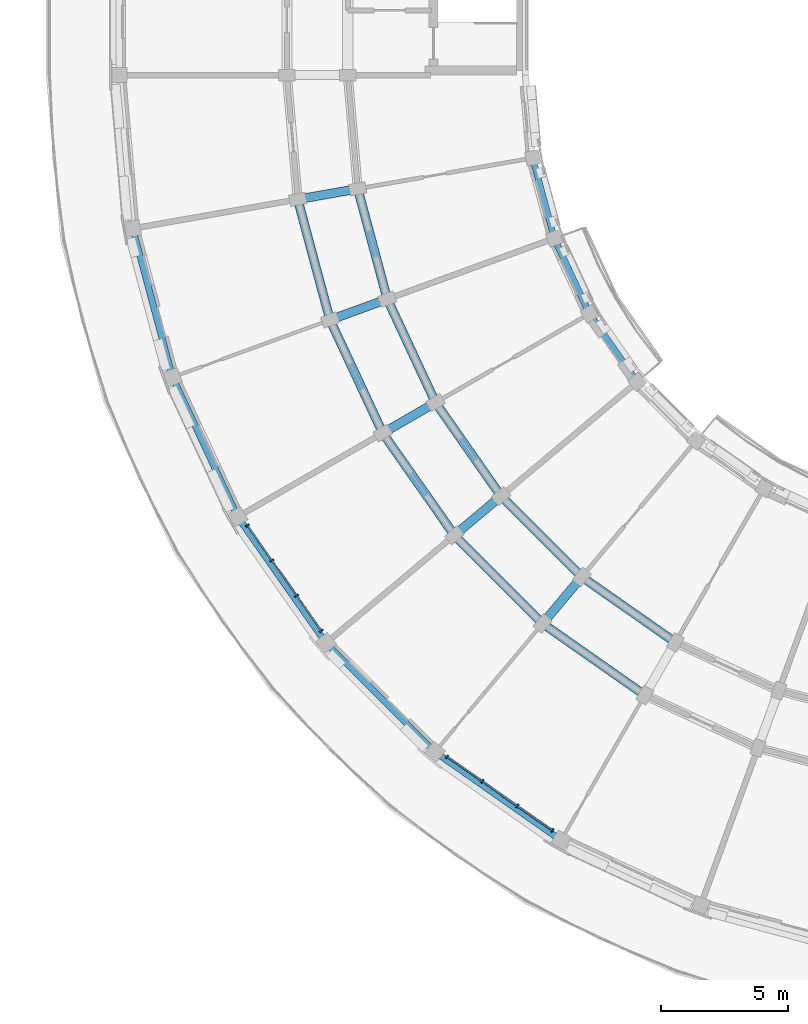
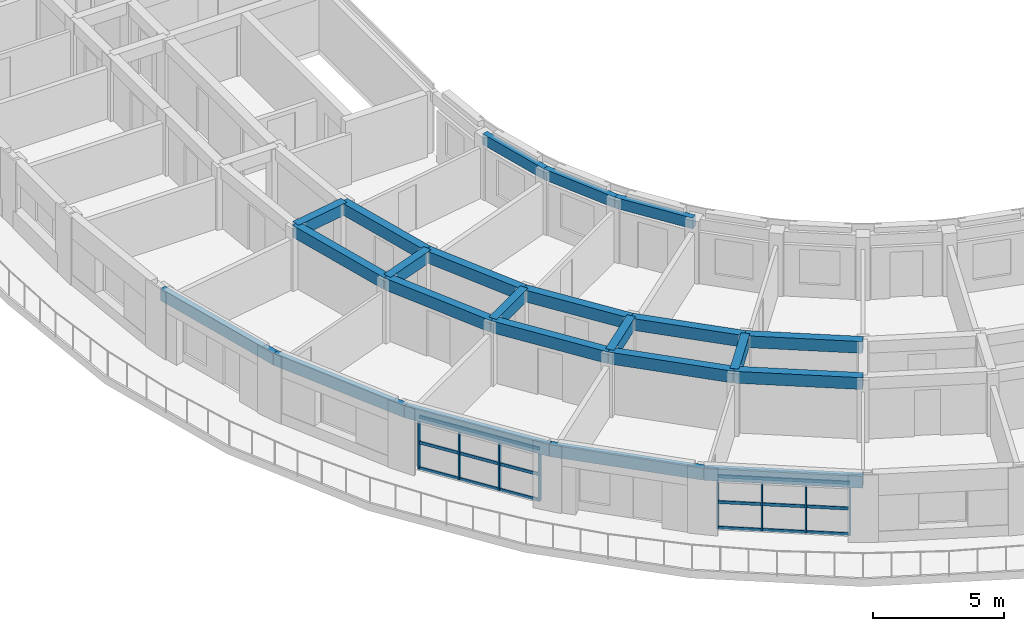
# One storey, part 3 of 53: 23 beams, 14 members, 2 elements without a shape of their own.
"""IFC4 building model written with IfcOpenShell, lengths in metres."""

from ifc_helpers import new_model, si_unit, direction, frame, origin, origin_2d, place, context, subcontext, project, spatial, rectangle, extrude, material, material_profile, profile_set, type_object, element, aggregate, save


model = new_model("IFC4")

# Units and contexts
model_context = context("Model", 3, precision=1e-05, world=origin(), true_north=direction((0.0, 1.0)))
body_context = subcontext(model_context, "Body", "Model", "MODEL_VIEW")
ifc_project = project(units=[si_unit("LENGTHUNIT", "METRE"), si_unit("AREAUNIT", "SQUARE_METRE"), si_unit("VOLUMEUNIT", "CUBIC_METRE"), si_unit("PLANEANGLEUNIT", "RADIAN"), si_unit("MASSUNIT", "GRAM", prefix="KILO")], contexts=[model_context])

# Site, building, storey
site_placement = place(None, origin())
site = spatial("IfcSite", under=ifc_project, at=site_placement, CompositionType="ELEMENT")
building_placement = place(site_placement, origin())
building = spatial("IfcBuilding", under=site, at=building_placement, Name="Kiranvali Square Residences", CompositionType="ELEMENT")
storey_placement = place(building_placement, frame((0.0, 0.0, 30.75)))
storey = spatial("IfcBuildingStorey", under=building, at=storey_placement, Name="L09", CompositionType="ELEMENT", Elevation=30.75)

# Beams
ifc_material_1 = material(Name="Concrete M40 (40 MPa)", Category="concrete")
ifc_material_profile_1 = material_profile(ifc_material_1, rectangle(XDim=0.35009765625, YDim=0.550048828125, at=origin_2d()), Name="RC 350x550")
ifc_profile_set_1 = profile_set([ifc_material_profile_1], Name="Concrete M40 (40 MPa)")
beam_type_1 = type_object("IfcBeamType", Name="BM-M40-350x550", PredefinedType="BEAM", material=ifc_profile_set_1)
beam_1_placement = place(storey_placement, frame((35.300048828125, 25.8564453125, 2.635009765625), z_axis=(-0.819155404658, 0.573571637217, 0.0), x_axis=(-0.573571637217, -0.819155404658, 0.0)))
element("IfcBeam", 1, at=beam_1_placement, inside=storey, type_object=beam_type_1, Name="L09 beam BM-C-L09-C03-R1", PredefinedType="BEAM", context=body_context, shape_type="SweptSolid", body=[
    extrude(rectangle(XDim=0.35009765625, YDim=0.550048828125, at=origin_2d()), origin(), (0.0, 0.0, 1.0), 4.497314453125),
])
beam_2_placement = place(storey_placement, frame((34.10009765625, 23.778076171875, 2.635009765625), z_axis=(-0.819140911474, 0.573592335331, 0.0), x_axis=(-0.573592335331, -0.819140911474, 0.0)))
element("IfcBeam", 2, at=beam_2_placement, inside=storey, type_object=beam_type_1, Name="L09 beam BM-C-L09-C03-R2", PredefinedType="BEAM", context=body_context, shape_type="SweptSolid", body=[
    extrude(rectangle(XDim=0.35009765625, YDim=0.550048828125, at=origin_2d()), origin(), (0.0, 0.0, 1.0), 4.915771484375),
])
beam_3_placement = place(storey_placement, frame((31.615966796875, 28.43603515625, 2.635009765625), z_axis=(-0.707106781187, 0.707106781187, 0.0), x_axis=(-0.707106781187, -0.707106781187, 0.0)))
element("IfcBeam", 3, at=beam_3_placement, inside=storey, type_object=beam_type_1, Name="L09 beam BM-C-L09-C04-R1", PredefinedType="BEAM", context=body_context, shape_type="SweptSolid", body=[
    extrude(rectangle(XDim=0.35009765625, YDim=0.550048828125, at=origin_2d()), origin(), (0.0, 0.0, 1.0), 4.4970703125),
])
beam_4_placement = place(storey_placement, frame((30.073486328125, 26.59765625, 2.635009765625), z_axis=(-0.707106781187, 0.707106781187, 0.0), x_axis=(-0.707106781187, -0.707106781187, 0.0)))
element("IfcBeam", 4, at=beam_4_placement, inside=storey, type_object=beam_type_1, Name="L09 beam BM-C-L09-C04-R2", PredefinedType="BEAM", context=body_context, shape_type="SweptSolid", body=[
    extrude(rectangle(XDim=0.35009765625, YDim=0.550048828125, at=origin_2d()), origin(), (0.0, 0.0, 1.0), 4.91552734375),
])
beam_5_placement = place(storey_placement, frame((28.43603515625, 31.615966796875, 2.635009765625), z_axis=(-0.573571637217, 0.819155404658, 0.0), x_axis=(-0.819155404658, -0.573571637217, 0.0)))
element("IfcBeam", 5, at=beam_5_placement, inside=storey, type_object=beam_type_1, Name="L09 beam BM-C-L09-C05-R1", PredefinedType="BEAM", context=body_context, shape_type="SweptSolid", body=[
    extrude(rectangle(XDim=0.35009765625, YDim=0.550048828125, at=origin_2d()), origin(), (0.0, 0.0, 1.0), 4.497314453125),
])
beam_6_placement = place(storey_placement, frame((26.59765625, 30.073486328125, 2.635009765625), z_axis=(-0.573592335331, 0.819140911474, 0.0), x_axis=(-0.819140911474, -0.573592335331, 0.0)))
element("IfcBeam", 6, at=beam_6_placement, inside=storey, type_object=beam_type_1, Name="L09 beam BM-C-L09-C05-R2", PredefinedType="BEAM", context=body_context, shape_type="SweptSolid", body=[
    extrude(rectangle(XDim=0.35009765625, YDim=0.550048828125, at=origin_2d()), origin(), (0.0, 0.0, 1.0), 4.915771484375),
])
beam_7_placement = place(storey_placement, frame((25.8564453125, 35.300048828125, 2.635009765625), z_axis=(-0.422617978463, 0.906307919131, 0.0), x_axis=(-0.906307919131, -0.422617978463, 0.0)))
element("IfcBeam", 7, at=beam_7_placement, inside=storey, type_object=beam_type_1, Name="L09 beam BM-C-L09-C06-R1", PredefinedType="BEAM", context=body_context, shape_type="SweptSolid", body=[
    extrude(rectangle(XDim=0.35009765625, YDim=0.550048828125, at=origin_2d()), origin(), (0.0, 0.0, 1.0), 4.497314453125),
])
beam_8_placement = place(storey_placement, frame((23.778076171875, 34.10009765625, 2.635009765625), z_axis=(-0.422629854778, 0.906302381024, 0.0), x_axis=(-0.906302381024, -0.422629854778, 0.0)))
element("IfcBeam", 8, at=beam_8_placement, inside=storey, type_object=beam_type_1, Name="L09 beam BM-C-L09-C06-R2", PredefinedType="BEAM", context=body_context, shape_type="SweptSolid", body=[
    extrude(rectangle(XDim=0.35009765625, YDim=0.550048828125, at=origin_2d()), origin(), (0.0, 0.0, 1.0), 4.915283203125),
])
beam_9_placement = place(storey_placement, frame((23.955810546875, 39.3759765625, 2.635009765625), z_axis=(-0.258787642463, 0.965934240054, 0.0), x_axis=(-0.965934240054, -0.258787642463, 0.0)))
element("IfcBeam", 9, at=beam_9_placement, inside=storey, type_object=beam_type_1, Name="L09 beam BM-C-L09-C07-R1", PredefinedType="BEAM", context=body_context, shape_type="SweptSolid", body=[
    extrude(rectangle(XDim=0.35009765625, YDim=0.550048828125, at=origin_2d()), origin(), (0.0, 0.0, 1.0), 4.497314453125),
])
beam_10_placement = place(storey_placement, frame((21.70068359375, 38.554931640625, 2.635009765625), z_axis=(-0.258803112091, 0.965930095386, 0.0), x_axis=(-0.965930095386, -0.258803112091, 0.0)))
element("IfcBeam", 10, at=beam_10_placement, inside=storey, type_object=beam_type_1, Name="L09 beam BM-C-L09-C07-R2", PredefinedType="BEAM", context=body_context, shape_type="SweptSolid", body=[
    extrude(rectangle(XDim=0.35009765625, YDim=0.550048828125, at=origin_2d()), origin(), (0.0, 0.0, 1.0), 4.915771484375),
])
for number, where, z_axis, x_axis, name in (
    (11, (31.615966796875, 28.43603515625, 2.635009765625), (-0.642762521781, -0.766065493671, 0.0), (0.766065493671, -0.642762521781, 0.0), "L09 beam BM-C-L09-RAD04-12"),
    (12, (28.43603515625, 31.615966796875, 2.635009765625), (-0.766065493671, -0.642762521781, 0.0), (0.642762521781, -0.766065493671, 0.0), "L09 beam BM-C-L09-RAD05-12"),
):
    element("IfcBeam", number, at=place(storey_placement, frame(where, z_axis=z_axis, x_axis=x_axis)), inside=storey, type_object=beam_type_1, Name=name, PredefinedType="BEAM", context=body_context, shape_type="SweptSolid", body=[
        extrude(rectangle(XDim=0.35009765625, YDim=0.550048828125, at=origin_2d()), origin(), (0.0, 0.0, 1.0), 2.399658203125),
    ])
for number, where, z_axis, x_axis, name in (
    (13, (25.8564453125, 35.300048828125, 2.635009765625), (-0.866024647952, -0.500001309137, 0.0), (0.500001309137, -0.866024647952, 0.0), "L09 beam BM-C-L09-RAD06-12"),
    (14, (23.955810546875, 39.3759765625, 2.635009765625), (-0.939659694648, -0.342110593602, 0.0), (0.342110593602, -0.939659694648, 0.0), "L09 beam BM-C-L09-RAD07-12"),
    (15, (22.7919921875, 43.719970703125, 2.635009765625), (-0.984808127031, -0.173646056486, 0.0), (0.173646056486, -0.984808127031, 0.0), "L09 beam BM-C-L09-RAD08-12"),
):
    element("IfcBeam", number, at=place(storey_placement, frame(where, z_axis=z_axis, x_axis=x_axis)), inside=storey, type_object=beam_type_1, Name=name, PredefinedType="BEAM", context=body_context, shape_type="SweptSolid", body=[
        extrude(rectangle(XDim=0.35009765625, YDim=0.550048828125, at=origin_2d()), origin(), (0.0, 0.0, 1.0), 2.39990234375),
    ])

# Curtain wall, members
ifc_material_2 = material(Name="Anodised bronze aluminium framing", Category="aluminium")
curtain_wall_type = type_object("IfcCurtainWallType", Name="CW-RES-LOG", PredefinedType="USERDEFINED", material=ifc_material_2)
curtain_wall_1_placement = place(storey_placement, origin())
curtain_wall_1 = element("IfcCurtainWall", 16, at=curtain_wall_1_placement, inside=storey, type_object=curtain_wall_type, Name="Block C L09 stepped curved terrace loggia 4", ObjectType="CURTAIN WALL", PredefinedType="USERDEFINED")
ifc_material_profile_2 = material_profile(ifc_material_2, rectangle(XDim=0.06494140625, YDim=0.159912109375, at=origin_2d()), Name="ALU 65x160")
ifc_profile_set_2 = profile_set([ifc_material_profile_2], Name="Anodised bronze aluminium framing")
member_type_1 = type_object("IfcMemberType", Name="CW-MUL-160", PredefinedType="MULLION", material=ifc_profile_set_2)
member_1_placement = place(storey_placement, frame((30.459228515625, 18.447509765625, 0.02001953125), z_axis=(0.0, 0.0, 1.0), x_axis=(-0.819152044289, 0.573576436351, 0.0)))
member_1 = element("IfcMember", 17, at=member_1_placement, type_object=member_type_1, Name="CW-C-L09-TER-03 vertical mullion 1", PredefinedType="MULLION", context=body_context, shape_type="SweptSolid", body=[
    extrude(rectangle(XDim=0.06494140625, YDim=0.159912109375, at=origin_2d()), origin(), (0.0, 0.0, 1.0), 2.419921875),
])
member_2_placement = place(storey_placement, frame((29.075927734375, 19.416015625, 0.02001953125), z_axis=(0.0, 0.0, 1.0), x_axis=(-0.819152044289, 0.573576436351, 0.0)))
member_2 = element("IfcMember", 18, at=member_2_placement, type_object=member_type_1, Name="CW-C-L09-TER-03 vertical mullion 2", PredefinedType="MULLION", context=body_context, shape_type="SweptSolid", body=[
    extrude(rectangle(XDim=0.06494140625, YDim=0.159912109375, at=origin_2d()), origin(), (0.0, 0.0, 1.0), 2.419921875),
])
member_3_placement = place(storey_placement, frame((27.692626953125, 20.384521484375, 0.02001953125), z_axis=(0.0, 0.0, 1.0), x_axis=(-0.819152044289, 0.573576436351, 0.0)))
member_3 = element("IfcMember", 19, at=member_3_placement, type_object=member_type_1, Name="CW-C-L09-TER-03 vertical mullion 3", PredefinedType="MULLION", context=body_context, shape_type="SweptSolid", body=[
    extrude(rectangle(XDim=0.06494140625, YDim=0.159912109375, at=origin_2d()), origin(), (0.0, 0.0, 1.0), 2.419921875),
])
member_4_placement = place(storey_placement, frame((26.309326171875, 21.353271484375, 0.02001953125), z_axis=(0.0, 0.0, 1.0), x_axis=(-0.819152044289, 0.573576436351, 0.0)))
member_4 = element("IfcMember", 20, at=member_4_placement, type_object=member_type_1, Name="CW-C-L09-TER-03 vertical mullion 4", PredefinedType="MULLION", context=body_context, shape_type="SweptSolid", body=[
    extrude(rectangle(XDim=0.06494140625, YDim=0.159912109375, at=origin_2d()), origin(), (0.0, 0.0, 1.0), 2.419921875),
])

curtain_wall_2_placement = place(storey_placement, origin())
curtain_wall_2 = element("IfcCurtainWall", 21, at=curtain_wall_2_placement, inside=storey, type_object=curtain_wall_type, Name="Block C L09 stepped curved terrace loggia 6", ObjectType="CURTAIN WALL", PredefinedType="USERDEFINED")
member_5_placement = place(storey_placement, frame((21.353271484375, 26.309326171875, 0.02001953125), z_axis=(0.0, 0.0, 1.0), x_axis=(-0.573576436351, 0.819152044289, 0.0)))
member_5 = element("IfcMember", 22, at=member_5_placement, type_object=member_type_1, Name="CW-C-L09-TER-05 vertical mullion 1", PredefinedType="MULLION", context=body_context, shape_type="SweptSolid", body=[
    extrude(rectangle(XDim=0.06494140625, YDim=0.159912109375, at=origin_2d()), origin(), (0.0, 0.0, 1.0), 2.419921875),
])
member_6_placement = place(storey_placement, frame((20.384521484375, 27.692626953125, 0.02001953125), z_axis=(0.0, 0.0, 1.0), x_axis=(-0.573576436351, 0.819152044289, 0.0)))
member_6 = element("IfcMember", 23, at=member_6_placement, type_object=member_type_1, Name="CW-C-L09-TER-05 vertical mullion 2", PredefinedType="MULLION", context=body_context, shape_type="SweptSolid", body=[
    extrude(rectangle(XDim=0.06494140625, YDim=0.159912109375, at=origin_2d()), origin(), (0.0, 0.0, 1.0), 2.419921875),
])
member_7_placement = place(storey_placement, frame((19.416015625, 29.075927734375, 0.02001953125), z_axis=(0.0, 0.0, 1.0), x_axis=(-0.573576436351, 0.819152044289, 0.0)))
member_7 = element("IfcMember", 24, at=member_7_placement, type_object=member_type_1, Name="CW-C-L09-TER-05 vertical mullion 3", PredefinedType="MULLION", context=body_context, shape_type="SweptSolid", body=[
    extrude(rectangle(XDim=0.06494140625, YDim=0.159912109375, at=origin_2d()), origin(), (0.0, 0.0, 1.0), 2.419921875),
])
member_8_placement = place(storey_placement, frame((18.447509765625, 30.459228515625, 0.02001953125), z_axis=(0.0, 0.0, 1.0), x_axis=(-0.573576436351, 0.819152044289, 0.0)))
member_8 = element("IfcMember", 25, at=member_8_placement, type_object=member_type_1, Name="CW-C-L09-TER-05 vertical mullion 4", PredefinedType="MULLION", context=body_context, shape_type="SweptSolid", body=[
    extrude(rectangle(XDim=0.06494140625, YDim=0.159912109375, at=origin_2d()), origin(), (0.0, 0.0, 1.0), 2.419921875),
])

# Member
ifc_material_profile_3 = material_profile(ifc_material_2, rectangle(XDim=0.06494140625, YDim=0.139892578125, at=origin_2d()), Name="ALU 65x140")
ifc_profile_set_3 = profile_set([ifc_material_profile_3], Name="Anodised bronze aluminium framing")
member_type_2 = type_object("IfcMemberType", Name="CW-TRN-140", PredefinedType="MULLION", material=ifc_profile_set_3)
member_9_placement = place(storey_placement, frame((30.451171875, 18.453125, 0.0400390625), z_axis=(-0.81915690506, 0.573569494388, 0.0), x_axis=(-0.573569494388, -0.81915690506, 0.0)))
member_9 = element("IfcMember", 26, at=member_9_placement, type_object=member_type_2, Name="CW-C-L09-TER-03 horizontal transom 1", PredefinedType="MULLION", context=body_context, shape_type="SweptSolid", body=[
    extrude(rectangle(XDim=0.06494140625, YDim=0.139892578125, at=origin_2d()), origin(), (0.0, 0.0, 1.0), 5.046142578125),
])

member_10_placement = place(storey_placement, frame((30.451171875, 18.453125, 1.22998046875), z_axis=(-0.81915690506, 0.573569494388, 0.0), x_axis=(-0.573569494388, -0.81915690506, 0.0)))
member_10 = element("IfcMember", 27, at=member_10_placement, type_object=member_type_2, Name="CW-C-L09-TER-03 horizontal transom 2", PredefinedType="MULLION", context=body_context, shape_type="SweptSolid", body=[
    extrude(rectangle(XDim=0.06494140625, YDim=0.139892578125, at=origin_2d()), origin(), (0.0, 0.0, 1.0), 5.046142578125),
])

member_11_placement = place(storey_placement, frame((30.451171875, 18.453125, 2.419921875), z_axis=(-0.81915690506, 0.573569494388, 0.0), x_axis=(-0.573569494388, -0.81915690506, 0.0)))
member_11 = element("IfcMember", 28, at=member_11_placement, type_object=member_type_2, Name="CW-C-L09-TER-03 horizontal transom 3", PredefinedType="MULLION", context=body_context, shape_type="SweptSolid", body=[
    extrude(rectangle(XDim=0.06494140625, YDim=0.139892578125, at=origin_2d()), origin(), (0.0, 0.0, 1.0), 5.046142578125),
])

aggregate(curtain_wall_1, [member_1, member_2, member_3, member_4, member_9, member_10, member_11])

member_12_placement = place(storey_placement, frame((21.347412109375, 26.317626953125, 0.0400390625), z_axis=(-0.573569494388, 0.81915690506, 0.0), x_axis=(-0.81915690506, -0.573569494388, 0.0)))
member_12 = element("IfcMember", 29, at=member_12_placement, type_object=member_type_2, Name="CW-C-L09-TER-05 horizontal transom 1", PredefinedType="MULLION", context=body_context, shape_type="SweptSolid", body=[
    extrude(rectangle(XDim=0.06494140625, YDim=0.139892578125, at=origin_2d()), origin(), (0.0, 0.0, 1.0), 5.046142578125),
])

member_13_placement = place(storey_placement, frame((21.347412109375, 26.317626953125, 1.22998046875), z_axis=(-0.573569494388, 0.81915690506, 0.0), x_axis=(-0.81915690506, -0.573569494388, 0.0)))
member_13 = element("IfcMember", 30, at=member_13_placement, type_object=member_type_2, Name="CW-C-L09-TER-05 horizontal transom 2", PredefinedType="MULLION", context=body_context, shape_type="SweptSolid", body=[
    extrude(rectangle(XDim=0.06494140625, YDim=0.139892578125, at=origin_2d()), origin(), (0.0, 0.0, 1.0), 5.046142578125),
])

member_14_placement = place(storey_placement, frame((21.347412109375, 26.317626953125, 2.419921875), z_axis=(-0.573569494388, 0.81915690506, 0.0), x_axis=(-0.81915690506, -0.573569494388, 0.0)))
member_14 = element("IfcMember", 31, at=member_14_placement, type_object=member_type_2, Name="CW-C-L09-TER-05 horizontal transom 3", PredefinedType="MULLION", context=body_context, shape_type="SweptSolid", body=[
    extrude(rectangle(XDim=0.06494140625, YDim=0.139892578125, at=origin_2d()), origin(), (0.0, 0.0, 1.0), 5.046142578125),
])

aggregate(curtain_wall_2, [member_5, member_6, member_7, member_8, member_12, member_13, member_14])

# Beams
ifc_material_profile_4 = material_profile(ifc_material_1, rectangle(XDim=0.25, YDim=0.5, at=origin_2d()), Name="RC 250x500")
ifc_profile_set_4 = profile_set([ifc_material_profile_4], Name="Concrete M40 (40 MPa)")
beam_type_2 = type_object("IfcBeamType", Name="SPN-M40-250x500", PredefinedType="SPANDREL", material=ifc_profile_set_4)
for number, where, z_axis, x_axis, name in (
    (32, (33.79833984375, 36.115478515625, 2.659912109375), (-0.573552337269, 0.81916891812, 0.0), (-0.81916891812, -0.573552337269, 0.0), "L09 beam BM-C-L09-C05-R0"),
    (33, (31.918701171875, 38.800048828125, 2.659912109375), (-0.422640740585, 0.90629730464, 0.0), (-0.90629730464, -0.422640740585, 0.0), "L09 beam BM-C-L09-C06-R0"),
):
    element("IfcBeam", number, at=place(storey_placement, frame(where, z_axis=z_axis, x_axis=x_axis)), inside=storey, type_object=beam_type_2, Name=name, PredefinedType="SPANDREL", context=body_context, shape_type="SweptSolid", body=[
        extrude(rectangle(XDim=0.25, YDim=0.5, at=origin_2d()), origin(), (0.0, 0.0, 1.0), 3.277099609375),
    ])
beam_11_placement = place(storey_placement, frame((30.53369140625, 41.77001953125, 2.659912109375), z_axis=(-0.258821736607, 0.965925105099, 0.0), x_axis=(-0.965925105099, -0.258821736607, 0.0)))
element("IfcBeam", 34, at=beam_11_placement, inside=storey, type_object=beam_type_2, Name="L09 beam BM-C-L09-C07-R0", PredefinedType="SPANDREL", context=body_context, shape_type="SweptSolid", body=[
    extrude(rectangle(XDim=0.25, YDim=0.5, at=origin_2d()), origin(), (0.0, 0.0, 1.0), 3.27685546875),
])
ifc_material_profile_5 = material_profile(ifc_material_1, rectangle(XDim=0.25, YDim=0.550048828125, at=origin_2d()), Name="RC 250x550")
ifc_profile_set_5 = profile_set([ifc_material_profile_5], Name="Concrete M40 (40 MPa)")
beam_type_3 = type_object("IfcBeamType", Name="SPN-M40-250x550", PredefinedType="SPANDREL", material=ifc_profile_set_5)
beam_12_placement = place(storey_placement, frame((30.800048828125, 18.062255859375, 2.635009765625), z_axis=(-0.81913926159, 0.573594691504, 0.0), x_axis=(-0.573594691504, -0.81913926159, 0.0)))
element("IfcBeam", 35, at=beam_12_placement, inside=storey, type_object=beam_type_3, Name="L09 beam BM-C-L09-C03-R3", PredefinedType="SPANDREL", context=body_context, shape_type="SweptSolid", body=[
    extrude(rectangle(XDim=0.25, YDim=0.550048828125, at=origin_2d()), origin(), (0.0, 0.0, 1.0), 6.066162109375),
])
beam_13_placement = place(storey_placement, frame((25.8310546875, 21.541748046875, 2.635009765625), z_axis=(-0.707106781187, 0.707106781187, 0.0), x_axis=(-0.707106781187, -0.707106781187, 0.0)))
element("IfcBeam", 36, at=beam_13_placement, inside=storey, type_object=beam_type_3, Name="L09 beam BM-C-L09-C04-R3", PredefinedType="SPANDREL", context=body_context, shape_type="SweptSolid", body=[
    extrude(rectangle(XDim=0.25, YDim=0.550048828125, at=origin_2d()), origin(), (0.0, 0.0, 1.0), 6.06591796875),
])
beam_14_placement = place(storey_placement, frame((21.541748046875, 25.8310546875, 2.635009765625), z_axis=(-0.573594691504, 0.81913926159, 0.0), x_axis=(-0.81913926159, -0.573594691504, 0.0)))
element("IfcBeam", 37, at=beam_14_placement, inside=storey, type_object=beam_type_3, Name="L09 beam BM-C-L09-C05-R3", PredefinedType="SPANDREL", context=body_context, shape_type="SweptSolid", body=[
    extrude(rectangle(XDim=0.25, YDim=0.550048828125, at=origin_2d()), origin(), (0.0, 0.0, 1.0), 6.066162109375),
])
beam_15_placement = place(storey_placement, frame((18.062255859375, 30.800048828125, 2.635009765625), z_axis=(-0.42260781991, 0.906312656069, 0.0), x_axis=(-0.906312656069, -0.42260781991, 0.0)))
element("IfcBeam", 38, at=beam_15_placement, inside=storey, type_object=beam_type_3, Name="L09 beam BM-C-L09-C06-R3", PredefinedType="SPANDREL", context=body_context, shape_type="SweptSolid", body=[
    extrude(rectangle(XDim=0.25, YDim=0.550048828125, at=origin_2d()), origin(), (0.0, 0.0, 1.0), 6.06591796875),
])
beam_16_placement = place(storey_placement, frame((15.498779296875, 36.297607421875, 2.635009765625), z_axis=(-0.258827283048, 0.965923618901, 0.0), x_axis=(-0.965923618901, -0.258827283048, 0.0)))
element("IfcBeam", 39, at=beam_16_placement, inside=storey, type_object=beam_type_3, Name="L09 beam BM-C-L09-C07-R3", PredefinedType="SPANDREL", context=body_context, shape_type="SweptSolid", body=[
    extrude(rectangle(XDim=0.25, YDim=0.550048828125, at=origin_2d()), origin(), (0.0, 0.0, 1.0), 6.066162109375),
])

save(model, "model.ifc")
